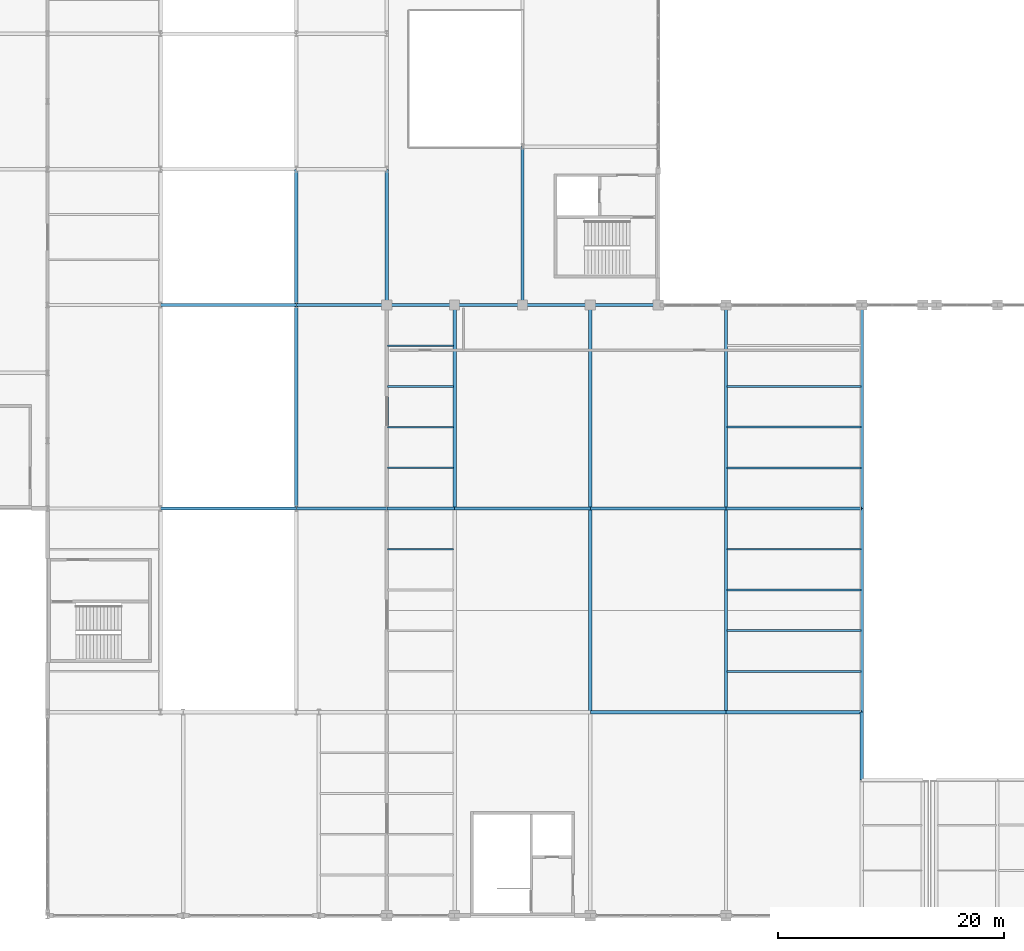
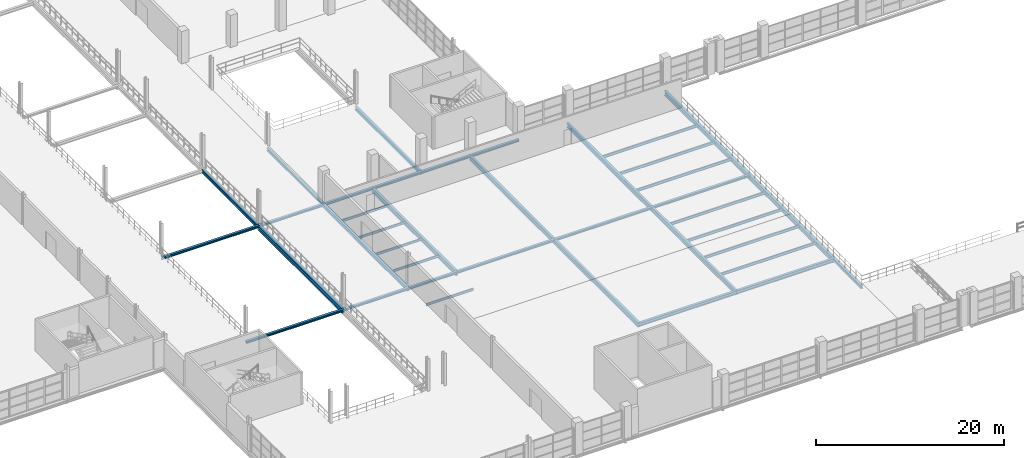
# One storey, part 48 of 158: 39 beams.
"""IFC4 building model written with IfcOpenShell, lengths in metres."""

from ifc_helpers import new_model, si_unit, direction, frame, origin, origin_2d, place, context, subcontext, project, spatial, i_section, extrude, material, material_profile, profile_set, type_object, element, save


model = new_model("IFC4")

# Units and contexts
model_context = context("Model", 3, precision=1e-05, world=origin(), true_north=direction((0.0, 1.0)))
body_context = subcontext(model_context, "Body", "Model", "MODEL_VIEW")
ifc_project = project(units=[si_unit("LENGTHUNIT", "METRE"), si_unit("AREAUNIT", "SQUARE_METRE"), si_unit("VOLUMEUNIT", "CUBIC_METRE"), si_unit("PLANEANGLEUNIT", "RADIAN"), si_unit("MASSUNIT", "GRAM", prefix="KILO")], contexts=[model_context])

# Site, building, storey
site_placement = place(None, origin())
site = spatial("IfcSite", under=ifc_project, at=site_placement, CompositionType="ELEMENT")
building_placement = place(site_placement, origin())
building = spatial("IfcBuilding", under=site, at=building_placement, Name="Zilviju Railside Exhibition Hall", CompositionType="ELEMENT")
storey_placement = place(building_placement, frame((0.0, 0.0, 4.199951171875)))
storey = spatial("IfcBuildingStorey", under=building, at=storey_placement, Name="L02", CompositionType="ELEMENT", Elevation=4.199951171875)

# Beams
ifc_material = material(Name="Steel S355J2", Category="steel")
ifc_material_profile_1 = material_profile(ifc_material, i_section(OverallWidth=0.300048828125, OverallDepth=0.2900390625, WebThickness=0.008544921875, FlangeThickness=0.013916015625, at=origin_2d()), Name="HEA 300")
ifc_profile_set_1 = profile_set([ifc_material_profile_1], Name="Steel S355J2")
beam_type_1 = type_object("IfcBeamType", Name="BM-HEA300", PredefinedType="SPANDREL", material=ifc_profile_set_1)
beam_1_placement = place(storey_placement, frame((58.0, 36.0, -0.494873046875), z_axis=(1.0, 0.0, 0.0), x_axis=(0.0, 1.0, 0.0)))
element("IfcBeam", 1, at=beam_1_placement, inside=storey, type_object=beam_type_1, Name="Primary Girder L02 Y=36.0 (58.0..70.0)", PredefinedType="SPANDREL", context=body_context, shape_type="SweptSolid", body=[
    extrude(i_section(OverallWidth=0.300048828125, OverallDepth=0.2900390625, WebThickness=0.008544921875, FlangeThickness=0.013916015625, at=origin_2d()), origin(), (0.0, 0.0, 1.0), 12.0),
])
beam_2_placement = place(storey_placement, frame((70.0, 36.0, -0.494873046875), z_axis=(1.0, 0.0, 0.0), x_axis=(0.0, 1.0, 0.0)))
element("IfcBeam", 2, at=beam_2_placement, inside=storey, type_object=beam_type_1, Name="Primary Girder L02 Y=36.0 (70.0..78.0)", PredefinedType="SPANDREL", context=body_context, shape_type="SweptSolid", body=[
    extrude(i_section(OverallWidth=0.300048828125, OverallDepth=0.2900390625, WebThickness=0.008544921875, FlangeThickness=0.013916015625, at=origin_2d()), origin(), (0.0, 0.0, 1.0), 8.0),
])
beam_3_placement = place(storey_placement, frame((78.0, 36.0, -0.494873046875), z_axis=(1.0, 0.0, 0.0), x_axis=(0.0, 1.0, 0.0)))
element("IfcBeam", 3, at=beam_3_placement, inside=storey, type_object=beam_type_1, Name="Primary Girder L02 Y=36.0 (78.0..84.0)", PredefinedType="SPANDREL", context=body_context, shape_type="SweptSolid", body=[
    extrude(i_section(OverallWidth=0.300048828125, OverallDepth=0.2900390625, WebThickness=0.008544921875, FlangeThickness=0.013916015625, at=origin_2d()), origin(), (0.0, 0.0, 1.0), 6.0),
])
for number, where, z_axis, x_axis, name in (
    (4, (84.0, 36.0, -0.474853515625), (1.0, 0.0, 0.0), (0.0, 1.0, 0.0), "Primary Girder L02 Y=36.0 (84.0..96.0)"),
    (5, (96.0, 36.0, -0.474853515625), (1.0, 0.0, 0.0), (0.0, 1.0, 0.0), "Primary Girder L02 Y=36.0 (96.0..108.0)"),
    (6, (108.0, 36.0, -0.474853515625), (1.0, 0.0, 0.0), (0.0, 1.0, 0.0), "Primary Girder L02 Y=36.0 (108.0..120.0)"),
    (7, (58.0, 54.0, -0.494873046875), (1.0, 0.0, 0.0), (0.0, 1.0, 0.0), "Primary Girder L02 Y=54.0 (58.0..70.0)"),
):
    element("IfcBeam", number, at=place(storey_placement, frame(where, z_axis=z_axis, x_axis=x_axis)), inside=storey, type_object=beam_type_1, Name=name, PredefinedType="SPANDREL", context=body_context, shape_type="SweptSolid", body=[
        extrude(i_section(OverallWidth=0.300048828125, OverallDepth=0.2900390625, WebThickness=0.008544921875, FlangeThickness=0.013916015625, at=origin_2d()), origin(), (0.0, 0.0, 1.0), 12.0),
    ])
beam_4_placement = place(storey_placement, frame((70.0, 54.0, -0.494873046875), z_axis=(1.0, 0.0, 0.0), x_axis=(0.0, 1.0, 0.0)))
element("IfcBeam", 8, at=beam_4_placement, inside=storey, type_object=beam_type_1, Name="Primary Girder L02 Y=54.0 (70.0..78.0)", PredefinedType="SPANDREL", context=body_context, shape_type="SweptSolid", body=[
    extrude(i_section(OverallWidth=0.300048828125, OverallDepth=0.2900390625, WebThickness=0.008544921875, FlangeThickness=0.013916015625, at=origin_2d()), origin(), (0.0, 0.0, 1.0), 8.0),
])
for number, where, z_axis, x_axis, name in (
    (9, (78.0, 54.0, -0.494873046875), (1.0, 0.0, 0.0), (0.0, 1.0, 0.0), "Primary Girder L02 Y=54.0 (78.0..84.0)"),
    (10, (84.0, 54.0, -0.494873046875), (1.0, 0.0, 0.0), (0.0, 1.0, 0.0), "Primary Girder L02 Y=54.0 (84.0..90.0)"),
    (11, (90.0, 54.0, -0.494873046875), (1.0, 0.0, 0.0), (0.0, 1.0, 0.0), "Primary Girder L02 Y=54.0 (90.0..96.0)"),
    (12, (96.0, 54.0, -0.494873046875), (1.0, 0.0, 0.0), (0.0, 1.0, 0.0), "Primary Girder L02 Y=54.0 (96.0..102.0)"),
):
    element("IfcBeam", number, at=place(storey_placement, frame(where, z_axis=z_axis, x_axis=x_axis)), inside=storey, type_object=beam_type_1, Name=name, PredefinedType="SPANDREL", context=body_context, shape_type="SweptSolid", body=[
        extrude(i_section(OverallWidth=0.300048828125, OverallDepth=0.2900390625, WebThickness=0.008544921875, FlangeThickness=0.013916015625, at=origin_2d()), origin(), (0.0, 0.0, 1.0), 6.0),
    ])
ifc_material_profile_2 = material_profile(ifc_material, i_section(OverallWidth=0.300048828125, OverallDepth=0.35009765625, WebThickness=0.010009765625, FlangeThickness=0.017578125, at=origin_2d()), Name="HEA 360")
ifc_profile_set_2 = profile_set([ifc_material_profile_2], Name="Steel S355J2")
beam_type_2 = type_object("IfcBeamType", Name="BM-HEA360", PredefinedType="BEAM", material=ifc_profile_set_2)
beam_5_placement = place(storey_placement, frame((78.0, 54.0, -0.52490234375), z_axis=(0.0, 1.0, 0.0), x_axis=(-1.0, 0.0, 0.0)))
element("IfcBeam", 13, at=beam_5_placement, inside=storey, type_object=beam_type_2, Name="Transverse Girder L02 X=78.0 (54.0..66.0)", PredefinedType="BEAM", context=body_context, shape_type="SweptSolid", body=[
    extrude(i_section(OverallWidth=0.300048828125, OverallDepth=0.35009765625, WebThickness=0.010009765625, FlangeThickness=0.017578125, at=origin_2d()), origin(), (0.0, 0.0, 1.0), 12.0),
])
ifc_material_profile_3 = material_profile(ifc_material, i_section(OverallWidth=0.300048828125, OverallDepth=0.360107421875, WebThickness=0.012451171875, FlangeThickness=0.0224609375, at=origin_2d()), Name="HEB 360")
ifc_profile_set_3 = profile_set([ifc_material_profile_3], Name="Steel S355J2")
beam_type_3 = type_object("IfcBeamType", Name="BM-HEB360", PredefinedType="BEAM", material=ifc_profile_set_3)
beam_6_placement = place(storey_placement, frame((120.0, 12.0, -0.510009765625), z_axis=(0.0, 1.0, 0.0), x_axis=(-1.0, 0.0, 0.0)))
element("IfcBeam", 14, at=beam_6_placement, inside=storey, type_object=beam_type_3, Name="Transverse Girder L02 X=120.0 (12.0..18.0)", PredefinedType="BEAM", context=body_context, shape_type="SweptSolid", body=[
    extrude(i_section(OverallWidth=0.300048828125, OverallDepth=0.360107421875, WebThickness=0.012451171875, FlangeThickness=0.0224609375, at=origin_2d()), origin(), (0.0, 0.0, 1.0), 6.0),
])
ifc_material_profile_4 = material_profile(ifc_material, i_section(OverallWidth=0.300048828125, OverallDepth=0.449951171875, WebThickness=0.013916015625, FlangeThickness=0.02587890625, at=origin_2d()), Name="HEB 450")
ifc_profile_set_4 = profile_set([ifc_material_profile_4], Name="Steel S355J2")
beam_type_4 = type_object("IfcBeamType", Name="BM-HEB450", PredefinedType="BEAM", material=ifc_profile_set_4)
for number, where, z_axis, x_axis, name in (
    (15, (96.0, 18.0, -0.554931640625), (1.0, 0.0, 0.0), (0.0, 1.0, 0.0), "Primary Girder L02 Y=18.0 (96.0..108.0)"),
    (16, (108.0, 18.0, -0.554931640625), (1.0, 0.0, 0.0), (0.0, 1.0, 0.0), "Primary Girder L02 Y=18.0 (108.0..120.0)"),
    (17, (70.0, 54.0, -0.574951171875), (0.0, 1.0, 0.0), (-1.0, 0.0, 0.0), "Transverse Girder L02 X=70.0 (54.0..66.0)"),
):
    element("IfcBeam", number, at=place(storey_placement, frame(where, z_axis=z_axis, x_axis=x_axis)), inside=storey, type_object=beam_type_4, Name=name, PredefinedType="BEAM", context=body_context, shape_type="SweptSolid", body=[
        extrude(i_section(OverallWidth=0.300048828125, OverallDepth=0.449951171875, WebThickness=0.013916015625, FlangeThickness=0.02587890625, at=origin_2d()), origin(), (0.0, 0.0, 1.0), 12.0),
    ])
beam_7_placement = place(storey_placement, frame((90.0, 54.0, -0.574951171875), z_axis=(0.0, 1.0, 0.0), x_axis=(-1.0, 0.0, 0.0)))
element("IfcBeam", 18, at=beam_7_placement, inside=storey, type_object=beam_type_4, Name="Transverse Girder L02 X=90.0 (54.0..68.0)", PredefinedType="BEAM", context=body_context, shape_type="SweptSolid", body=[
    extrude(i_section(OverallWidth=0.300048828125, OverallDepth=0.449951171875, WebThickness=0.013916015625, FlangeThickness=0.02587890625, at=origin_2d()), origin(), (0.0, 0.0, 1.0), 14.0),
])
ifc_material_profile_5 = material_profile(ifc_material, i_section(OverallWidth=0.300048828125, OverallDepth=0.5, WebThickness=0.014404296875, FlangeThickness=0.028076171875, at=origin_2d()), Name="HEB 500")
ifc_profile_set_5 = profile_set([ifc_material_profile_5], Name="Steel S355J2")
beam_type_5 = type_object("IfcBeamType", Name="BM-HEB500", PredefinedType="BEAM", material=ifc_profile_set_5)
beam_8_placement = place(storey_placement, frame((78.0, 36.0, -0.599853515625), z_axis=(0.0, 1.0, 0.0), x_axis=(-1.0, 0.0, 0.0)))
element("IfcBeam", 19, at=beam_8_placement, inside=storey, type_object=beam_type_5, Name="Transverse Girder L02 X=78.0 (36.0..54.0)", PredefinedType="BEAM", context=body_context, shape_type="SweptSolid", body=[
    extrude(i_section(OverallWidth=0.300048828125, OverallDepth=0.5, WebThickness=0.014404296875, FlangeThickness=0.028076171875, at=origin_2d()), origin(), (0.0, 0.0, 1.0), 18.0),
])
ifc_material_profile_6 = material_profile(ifc_material, i_section(OverallWidth=0.300048828125, OverallDepth=0.60009765625, WebThickness=0.015380859375, FlangeThickness=0.030029296875, at=origin_2d()), Name="HEB 600")
ifc_profile_set_6 = profile_set([ifc_material_profile_6], Name="Steel S355J2")
beam_type_6 = type_object("IfcBeamType", Name="BM-HEB600", PredefinedType="BEAM", material=ifc_profile_set_6)
for number, where, z_axis, x_axis, name in (
    (20, (70.0, 36.0, -0.64990234375), (0.0, 1.0, 0.0), (-1.0, 0.0, 0.0), "Transverse Girder L02 X=70.0 (36.0..54.0)"),
    (21, (84.0, 36.0, -0.64990234375), (0.0, 1.0, 0.0), (-1.0, 0.0, 0.0), "Transverse Girder L02 X=84.0 (36.0..54.0)"),
    (22, (96.0, 18.0, -0.6298828125), (0.0, 1.0, 0.0), (-1.0, 0.0, 0.0), "Transverse Girder L02 X=96.0 (18.0..36.0)"),
    (23, (96.0, 36.0, -0.64990234375), (0.0, 1.0, 0.0), (-1.0, 0.0, 0.0), "Transverse Girder L02 X=96.0 (36.0..54.0)"),
    (24, (108.0, 18.0, -0.6298828125), (0.0, 1.0, 0.0), (-1.0, 0.0, 0.0), "Transverse Girder L02 X=108.0 (18.0..36.0)"),
    (25, (108.0, 36.0, -0.6298828125), (0.0, 1.0, 0.0), (-1.0, 0.0, 0.0), "Transverse Girder L02 X=108.0 (36.0..54.0)"),
    (26, (120.0, 18.0, -0.6298828125), (0.0, 1.0, 0.0), (-1.0, 0.0, 0.0), "Transverse Girder L02 X=120.0 (18.0..36.0)"),
    (27, (120.0, 36.0, -0.6298828125), (0.0, 1.0, 0.0), (-1.0, 0.0, 0.0), "Transverse Girder L02 X=120.0 (36.0..54.0)"),
):
    element("IfcBeam", number, at=place(storey_placement, frame(where, z_axis=z_axis, x_axis=x_axis)), inside=storey, type_object=beam_type_6, Name=name, PredefinedType="BEAM", context=body_context, shape_type="SweptSolid", body=[
        extrude(i_section(OverallWidth=0.300048828125, OverallDepth=0.60009765625, WebThickness=0.015380859375, FlangeThickness=0.030029296875, at=origin_2d()), origin(), (0.0, 0.0, 1.0), 18.0),
    ])
ifc_material_profile_7 = material_profile(ifc_material, i_section(OverallWidth=0.14990234375, OverallDepth=0.300048828125, WebThickness=0.007080078125, FlangeThickness=0.0107421875, at=origin_2d()), Name="IPE 300")
ifc_profile_set_7 = profile_set([ifc_material_profile_7], Name="Steel S355J2")
beam_type_7 = type_object("IfcBeamType", Name="BM-IPE300", PredefinedType="JOIST", material=ifc_profile_set_7)
for number, where, z_axis, x_axis, name in (
    (28, (78.080078125, 32.39990234375, -0.5), (1.0, 0.0, 0.0), (0.0, 1.0, 0.0), "Composite Floor Joist L02 Y=32.40 (78.0..84.0)"),
    (29, (78.080078125, 39.60009765625, -0.5), (1.0, 0.0, 0.0), (0.0, 1.0, 0.0), "Composite Floor Joist L02 Y=39.60 (78.0..84.0)"),
    (30, (78.080078125, 43.199951171875, -0.5), (1.0, 0.0, 0.0), (0.0, 1.0, 0.0), "Composite Floor Joist L02 Y=43.20 (78.0..84.0)"),
    (31, (78.080078125, 46.800048828125, -0.5), (1.0, 0.0, 0.0), (0.0, 1.0, 0.0), "Composite Floor Joist L02 Y=46.80 (78.0..84.0)"),
    (32, (78.080078125, 50.39990234375, -0.5), (1.0, 0.0, 0.0), (0.0, 1.0, 0.0), "Composite Floor Joist L02 Y=50.40 (78.0..84.0)"),
):
    element("IfcBeam", number, at=place(storey_placement, frame(where, z_axis=z_axis, x_axis=x_axis)), inside=storey, type_object=beam_type_7, Name=name, PredefinedType="JOIST", context=body_context, shape_type="SweptSolid", body=[
        extrude(i_section(OverallWidth=0.14990234375, OverallDepth=0.300048828125, WebThickness=0.007080078125, FlangeThickness=0.0107421875, at=origin_2d()), origin(), (0.0, 0.0, 1.0), 5.83984375),
    ])
ifc_material_profile_8 = material_profile(ifc_material, i_section(OverallWidth=0.169921875, OverallDepth=0.360107421875, WebThickness=0.008056640625, FlangeThickness=0.0126953125, at=origin_2d()), Name="IPE 360")
ifc_profile_set_8 = profile_set([ifc_material_profile_8], Name="Steel S355J2")
beam_type_8 = type_object("IfcBeamType", Name="BM-IPE360", PredefinedType="JOIST", material=ifc_profile_set_8)
for number, where, z_axis, x_axis, name in (
    (33, (108.080078125, 21.60009765625, -0.510009765625), (1.0, 0.0, 0.0), (0.0, 1.0, 0.0), "Composite Floor Joist L02 Y=21.60 (108.0..120.0)"),
    (34, (108.080078125, 25.199951171875, -0.510009765625), (1.0, 0.0, 0.0), (0.0, 1.0, 0.0), "Composite Floor Joist L02 Y=25.20 (108.0..120.0)"),
    (35, (108.080078125, 28.800048828125, -0.510009765625), (1.0, 0.0, 0.0), (0.0, 1.0, 0.0), "Composite Floor Joist L02 Y=28.80 (108.0..120.0)"),
    (36, (108.080078125, 32.39990234375, -0.510009765625), (1.0, 0.0, 0.0), (0.0, 1.0, 0.0), "Composite Floor Joist L02 Y=32.40 (108.0..120.0)"),
    (37, (108.080078125, 39.60009765625, -0.510009765625), (1.0, 0.0, 0.0), (0.0, 1.0, 0.0), "Composite Floor Joist L02 Y=39.60 (108.0..120.0)"),
    (38, (108.080078125, 43.199951171875, -0.510009765625), (1.0, 0.0, 0.0), (0.0, 1.0, 0.0), "Composite Floor Joist L02 Y=43.20 (108.0..120.0)"),
    (39, (108.080078125, 46.800048828125, -0.510009765625), (1.0, 0.0, 0.0), (0.0, 1.0, 0.0), "Composite Floor Joist L02 Y=46.80 (108.0..120.0)"),
):
    element("IfcBeam", number, at=place(storey_placement, frame(where, z_axis=z_axis, x_axis=x_axis)), inside=storey, type_object=beam_type_8, Name=name, PredefinedType="JOIST", context=body_context, shape_type="SweptSolid", body=[
        extrude(i_section(OverallWidth=0.169921875, OverallDepth=0.360107421875, WebThickness=0.008056640625, FlangeThickness=0.0126953125, at=origin_2d()), origin(), (0.0, 0.0, 1.0), 11.83984375),
    ])

save(model, "model.ifc")
